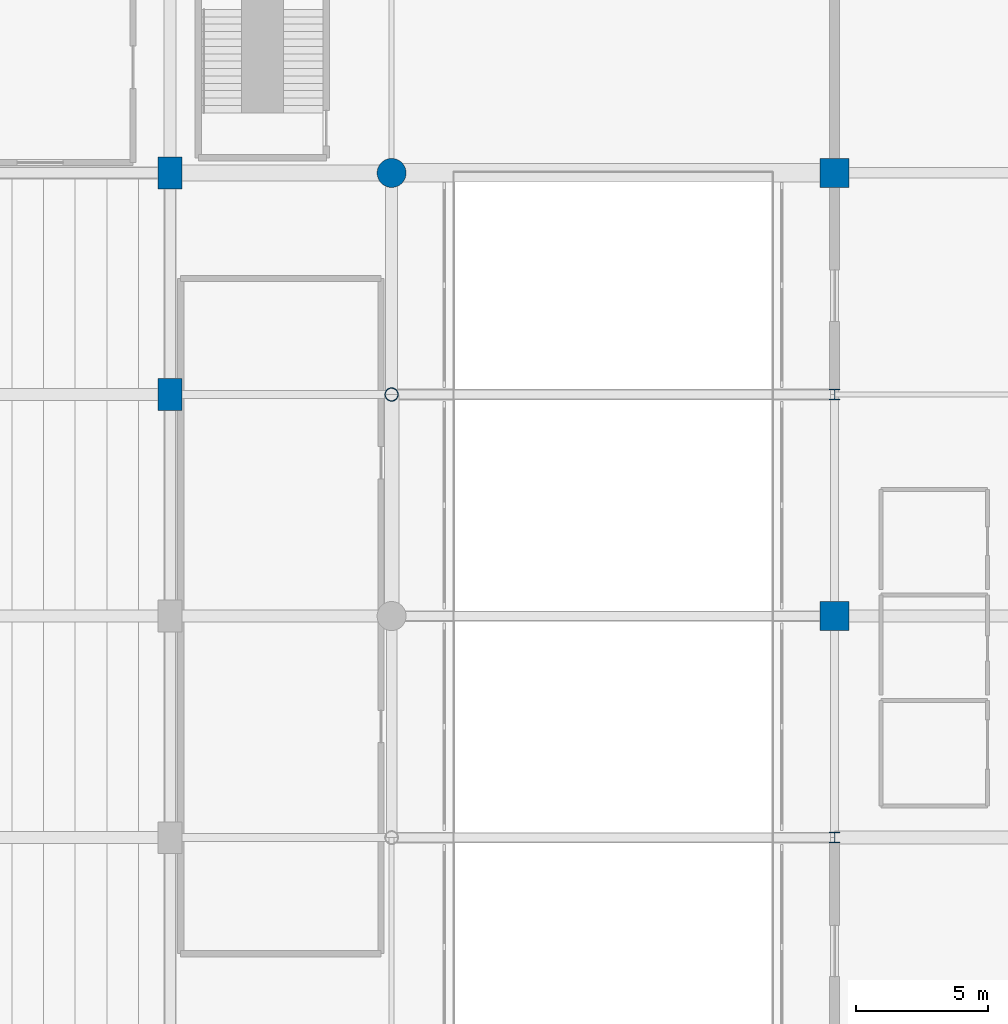
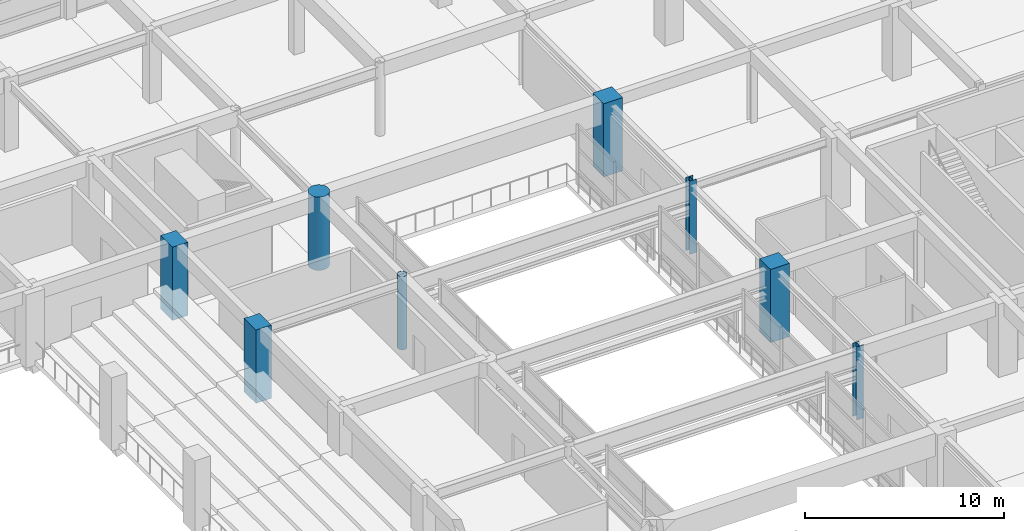
# One storey, part 4 of 62: 8 columns.
"""IFC4 building model written with IfcOpenShell, lengths in metres."""

import ifcopenshell
import ifcopenshell.guid

model = None  # the IFC model being written
_history = None  # IfcOwnerHistory: only IFC2X3 demands one
_inside = {}  # id of a spatial element -> (the spatial element, [elements in it])
_under = {}  # id of a project, library or spatial element -> (it, [spatial elements below it])
_declared = {}  # id of a project -> (the project, [libraries it declares])
_typed = {}  # id of a type object -> (the type object, [elements of that type])
_made_of = {}  # id of a material, layer set ... -> (it, [elements and type objects made of it])


def new_model(schema):
    """Start an empty IFC model of exactly this schema.

    Asked for "IFC4X3", IfcOpenShell would pick the latest addendum, in which some entities
    have other attributes; the version numbers below select the first issue.
    IFC2X3 requires an IfcOwnerHistory on every rooted entity: one is made here for all.
    """
    global model, _history
    if schema == "IFC4X3":
        model = ifcopenshell.file(schema_version=(4, 3, 0, 0))
    else:
        model = ifcopenshell.file(schema=schema)
    _inside.clear()
    _under.clear()
    _declared.clear()
    _typed.clear()
    _made_of.clear()
    _history = None
    if model.schema == "IFC2X3":
        org = make("IfcOrganization", Name="unknown")
        user = make(
            "IfcPersonAndOrganization",
            ThePerson=make("IfcPerson", FamilyName="unknown"),
            TheOrganization=org,
        )
        app = make(
            "IfcApplication",
            ApplicationDeveloper=org,
            Version="unknown",
            ApplicationFullName="unknown",
            ApplicationIdentifier="unknown",
        )
        _history = make(
            "IfcOwnerHistory",
            OwningUser=user,
            OwningApplication=app,
            ChangeAction="ADDED",
            CreationDate=0,
        )
    return model


def make(cls, **values):
    """One entity of the class cls with the attributes given. An attribute that is None is left unset."""
    return model.create_entity(
        cls, **{name: value for name, value in values.items() if value is not None}
    )


def rooted(cls, **values):
    """An entity with a GlobalId (a new one), such as an element, a storey or a relation."""
    return make(cls, GlobalId=ifcopenshell.guid.new(), OwnerHistory=_history, **values)


def si_unit(unit_type, name, prefix=None):
    """IfcSIUnit, for example si_unit("LENGTHUNIT", "METRE", prefix="MILLI")."""
    return make("IfcSIUnit", UnitType=unit_type, Prefix=prefix, Name=name)


def assignment(units):
    """IfcUnitAssignment: the units of a project."""
    return None if units is None else make("IfcUnitAssignment", Units=units)


def point(xyz):
    """IfcCartesianPoint."""
    return None if xyz is None else make("IfcCartesianPoint", Coordinates=xyz)


def direction(xyz):
    """IfcDirection."""
    return None if xyz is None else make("IfcDirection", DirectionRatios=xyz)


def frame(location, z_axis=None, x_axis=None):
    """IfcAxis2Placement3D, a coordinate frame: its origin and axes. An axis left out is left unset."""
    return make(
        "IfcAxis2Placement3D",
        Location=point(location),
        Axis=direction(z_axis),
        RefDirection=direction(x_axis),
    )


def frame_2d(location, x_axis=None):
    """IfcAxis2Placement2D, a coordinate frame in the plane: its origin and x axis."""
    return make(
        "IfcAxis2Placement2D", Location=point(location), RefDirection=direction(x_axis)
    )


def origin():
    """The frame at (0, 0, 0) with its axes left unset."""
    return frame((0.0, 0.0, 0.0))


def origin_2d():
    """The frame at (0, 0) in the plane with its x axis left unset."""
    return frame_2d((0.0, 0.0))


def place(relative_to, where):
    """IfcLocalPlacement: puts the frame where relative to a parent placement (None: the world)."""
    return make(
        "IfcLocalPlacement", PlacementRelTo=relative_to, RelativePlacement=where
    )


def context(
    kind, dimensions, precision=None, world=None, true_north=None, identifier=None
):
    """IfcGeometricRepresentationContext, for example the 3D "Model" context."""
    return make(
        "IfcGeometricRepresentationContext",
        ContextIdentifier=identifier,
        ContextType=kind,
        CoordinateSpaceDimension=dimensions,
        Precision=precision,
        WorldCoordinateSystem=world,
        TrueNorth=true_north,
    )


def subcontext(parent, identifier, kind, view, scale=None):
    """IfcGeometricRepresentationSubContext, for example "Body" below "Model"."""
    return make(
        "IfcGeometricRepresentationSubContext",
        ContextIdentifier=identifier,
        ContextType=kind,
        ParentContext=parent,
        TargetScale=scale,
        TargetView=view,
    )


def project(units=None, contexts=None):
    """IfcProject with its units and contexts."""
    return rooted(
        "IfcProject",
        Name="project",
        RepresentationContexts=contexts,
        UnitsInContext=assignment(units),
    )


def spatial(cls, under=None, at=None, **own):
    """A site, building, storey or space (cls), placed at a placement, below another one or the project."""
    s = rooted(cls, ObjectPlacement=at, **own)
    if under is not None:
        _under.setdefault(under.id(), (under, []))[1].append(s)
    return s


def profile(cls, at=None, kind="AREA", **sizes):
    """A parametric profile (cls). Its sizes go by their IFC names, for example OverallWidth=200.0."""
    return make(cls, ProfileType=kind, Position=at, **sizes)


def rectangle(**sizes):
    """IfcRectangleProfileDef."""
    return profile("IfcRectangleProfileDef", **sizes)


def circle(**sizes):
    """IfcCircleProfileDef."""
    return profile("IfcCircleProfileDef", **sizes)


def hollow_circle(**sizes):
    """IfcCircleHollowProfileDef."""
    return profile("IfcCircleHollowProfileDef", **sizes)


def i_section(**sizes):
    """IfcIShapeProfileDef."""
    return profile("IfcIShapeProfileDef", **sizes)


def extrude(swept, where, along, depth):
    """IfcExtrudedAreaSolid: the profile swept, set in the frame where, extruded along a direction by depth."""
    return make(
        "IfcExtrudedAreaSolid",
        SweptArea=swept,
        Position=where,
        ExtrudedDirection=direction(along),
        Depth=depth,
    )


def shape(context_of_items, identifier, shape_type, items):
    """IfcShapeRepresentation: the items that make up one representation, for example the "Body"."""
    return make(
        "IfcShapeRepresentation",
        ContextOfItems=context_of_items,
        RepresentationIdentifier=identifier,
        RepresentationType=shape_type,
        Items=items,
    )


def material(Name=None, Category=None):
    """IfcMaterial."""
    return make("IfcMaterial", Name=Name, Category=Category)


def material_profile(
    of_material, cross_section, Name=None, Category=None, Priority=None
):
    """IfcMaterialProfile: a cross section and its material."""
    return make(
        "IfcMaterialProfile",
        Name=Name,
        Material=of_material,
        Profile=cross_section,
        Priority=Priority,
        Category=Category,
    )


def profile_set(profiles, Name=None, composite=None):
    """IfcMaterialProfileSet."""
    return make(
        "IfcMaterialProfileSet",
        Name=Name,
        MaterialProfiles=profiles,
        CompositeProfile=composite,
    )


def made_of(thing, what):
    """Note that an element or type object is made of a material, layer set ...; save() writes the relation."""
    if what is not None:
        _made_of.setdefault(what.id(), (what, []))[1].append(thing)
    return thing


def type_object(cls, material=None, **own):
    """A type object (cls), such as IfcWallType, which elements share."""
    return made_of(rooted(cls, **own), material)


def element(
    cls,
    number,
    at=None,
    inside=None,
    cuts=None,
    type_object=None,
    material=None,
    context=None,
    identifier="Body",
    shape_type=None,
    held_by="IfcProductDefinitionShape",
    body=None,
    shapes=None,
    **own,
):
    """One element of the class cls, such as IfcWall. Its Tag is "e" and its number.

    at: its placement. inside: the storey or other place that contains it. cuts: it is an
    opening in that element (IfcRelVoidsElement). A single representation is given by context,
    identifier, shape_type and body (its items); several are given by shapes. held_by: the class
    of the entity that holds the representations. save() writes the other relations.
    """
    e = rooted(cls, Tag="e%d" % number, ObjectPlacement=at, **own)
    if body is not None:
        shapes = [shape(context, identifier, shape_type, body)]
    if shapes is not None:
        e.Representation = make(held_by, Representations=shapes)
    if inside is not None:
        _inside.setdefault(inside.id(), (inside, []))[1].append(e)
    if cuts is not None:
        rooted(
            "IfcRelVoidsElement", RelatingBuildingElement=cuts, RelatedOpeningElement=e
        )
    if type_object is not None:
        _typed.setdefault(type_object.id(), (type_object, []))[1].append(e)
    return made_of(e, material)


def aggregate(whole, parts):
    """IfcRelAggregates: a whole, such as a stair, and the parts it consists of."""
    return rooted("IfcRelAggregates", RelatingObject=whole, RelatedObjects=parts)


def save(model, path):
    """Write the relations noted so far, then the file.

    IfcRelAggregates (storeys below a building ...), IfcRelContainedInSpatialStructure (elements
    in a storey), IfcRelDefinesByType, IfcRelAssociatesMaterial and IfcRelDeclares: one each for
    every whole, place, type object, material and project.
    """
    for whole, parts in _under.values():
        aggregate(whole, parts)
    for where, things in _inside.values():
        rooted(
            "IfcRelContainedInSpatialStructure",
            RelatedElements=things,
            RelatingStructure=where,
        )
    for kind, things in _typed.values():
        rooted("IfcRelDefinesByType", RelatedObjects=things, RelatingType=kind)
    for what, things in _made_of.values():
        rooted("IfcRelAssociatesMaterial", RelatedObjects=things, RelatingMaterial=what)
    for by, libraries in _declared.values():
        rooted("IfcRelDeclares", RelatingContext=by, RelatedDefinitions=libraries)
    model.write(path)


model = new_model("IFC4")

# Units and contexts
model_context = context("Model", 3, precision=1e-05, world=origin(), true_north=direction((0.0, 1.0)))
body_context = subcontext(model_context, "Body", "Model", "MODEL_VIEW")
ifc_project = project(units=[si_unit("LENGTHUNIT", "METRE"), si_unit("AREAUNIT", "SQUARE_METRE"), si_unit("VOLUMEUNIT", "CUBIC_METRE"), si_unit("PLANEANGLEUNIT", "RADIAN"), si_unit("MASSUNIT", "GRAM", prefix="KILO")], contexts=[model_context])

# Site, building, storey
site_placement = place(None, origin())
site = spatial("IfcSite", under=ifc_project, at=site_placement, CompositionType="ELEMENT")
building_placement = place(site_placement, origin())
building = spatial("IfcBuilding", under=site, at=building_placement, Name="Xuanlan Plaza Opera House", CompositionType="ELEMENT")
storey_placement = place(building_placement, frame((0.0, 0.0, 14.39990234375)))
storey = spatial("IfcBuildingStorey", under=building, at=storey_placement, Name="L03", CompositionType="ELEMENT", Elevation=14.39990234375)

# Columns
ifc_material_1 = material(Name="Concrete C50", Category="concrete")
ifc_material_profile_1 = material_profile(ifc_material_1, rectangle(XDim=1.10009765625, YDim=1.10009765625, at=origin_2d()), Name="RC-COL 1100x1100")
ifc_profile_set_1 = profile_set([ifc_material_profile_1], Name="Concrete C50")
column_type_1 = type_object("IfcColumnType", Name="STR-COL-C-03", PredefinedType="COLUMN", material=ifc_profile_set_1)
for number, where, z_axis, x_axis, name in (
    (1, (126.0, 58.800048828125, 0.0), (0.0, 0.0, 1.0), (1.0, 0.0, 0.0), "Column L03 16-H"),
    (2, (126.0, 75.60009765625, 0.0), (0.0, 0.0, 1.0), (1.0, 0.0, 0.0), "Column L03 16-J"),
):
    element("IfcColumn", number, at=place(storey_placement, frame(where, z_axis=z_axis, x_axis=x_axis)), inside=storey, type_object=column_type_1, Name=name, PredefinedType="COLUMN", context=body_context, shape_type="SweptSolid", body=[
        extrude(rectangle(XDim=1.10009765625, YDim=1.10009765625, at=origin_2d()), origin(), (0.0, 0.0, 1.0), 4.5),
    ])
ifc_material_profile_2 = material_profile(ifc_material_1, rectangle(XDim=0.89990234375, YDim=1.199951171875, at=origin_2d()), Name="RC-COL 900x1200")
ifc_profile_set_2 = profile_set([ifc_material_profile_2], Name="Concrete C50")
column_type_2 = type_object("IfcColumnType", Name="STR-COL-C-10", PredefinedType="COLUMN", material=ifc_profile_set_2)
for number, where, z_axis, x_axis, name in (
    (3, (100.800048828125, 67.199951171875, 0.0), (0.0, 0.0, 1.0), (1.0, 0.0, 0.0), "Column L03 13-I"),
    (4, (100.800048828125, 75.60009765625, 0.0), (0.0, 0.0, 1.0), (1.0, 0.0, 0.0), "Column L03 13-J"),
):
    element("IfcColumn", number, at=place(storey_placement, frame(where, z_axis=z_axis, x_axis=x_axis)), inside=storey, type_object=column_type_2, Name=name, PredefinedType="COLUMN", context=body_context, shape_type="SweptSolid", body=[
        extrude(rectangle(XDim=0.89990234375, YDim=1.199951171875, at=origin_2d()), origin(), (0.0, 0.0, 1.0), 4.5),
    ])
ifc_material_profile_3 = material_profile(ifc_material_1, circle(Radius=0.550048828125, at=origin_2d()), Name="RC-COL D1100")
ifc_profile_set_3 = profile_set([ifc_material_profile_3], Name="Concrete C50")
column_type_3 = type_object("IfcColumnType", Name="STR-COL-C-11", PredefinedType="COLUMN", material=ifc_profile_set_3)
column_1_placement = place(storey_placement, frame((109.199951171875, 75.60009765625, 0.0), z_axis=(0.0, 0.0, 1.0), x_axis=(1.0, 0.0, 0.0)))
element("IfcColumn", 5, at=column_1_placement, inside=storey, type_object=column_type_3, Name="Column L03 14-J", PredefinedType="COLUMN", context=body_context, shape_type="SweptSolid", body=[
    extrude(circle(Radius=0.550048828125, at=origin_2d()), origin(), (0.0, 0.0, 1.0), 4.5),
])
ifc_material_2 = material(Name="Steel Q355B", Category="steel")
ifc_material_profile_4 = material_profile(ifc_material_2, i_section(OverallWidth=0.39990234375, OverallDepth=0.39990234375, WebThickness=0.012939453125, FlangeThickness=0.02099609375, FilletRadius=0.02197265625, at=origin_2d()), Name="HW 400x400x13x21")
ifc_profile_set_4 = profile_set([ifc_material_profile_4], Name="Steel Q355B")
column_type_4 = type_object("IfcColumnType", Name="STR-COL-C-14", PredefinedType="COLUMN", material=ifc_profile_set_4)
for number, where, z_axis, x_axis, name in (
    (6, (126.0, 50.39990234375, 0.0), (0.0, 0.0, 1.0), (1.0, 0.0, 0.0), "Column L03 16-G"),
    (7, (126.0, 67.199951171875, 0.0), (0.0, 0.0, 1.0), (1.0, 0.0, 0.0), "Column L03 16-I"),
):
    element("IfcColumn", number, at=place(storey_placement, frame(where, z_axis=z_axis, x_axis=x_axis)), inside=storey, type_object=column_type_4, Name=name, PredefinedType="COLUMN", context=body_context, shape_type="SweptSolid", body=[
        extrude(i_section(OverallWidth=0.39990234375, OverallDepth=0.39990234375, WebThickness=0.012939453125, FlangeThickness=0.02099609375, FilletRadius=0.02197265625, at=origin_2d()), origin(), (0.0, 0.0, 1.0), 4.5),
    ])
ifc_material_profile_5 = material_profile(ifc_material_2, hollow_circle(Radius=0.25390625, WallThickness=0.02001953125, at=origin_2d()), Name="CHS 508x20")
ifc_profile_set_5 = profile_set([ifc_material_profile_5], Name="Steel Q355B")
column_type_5 = type_object("IfcColumnType", Name="STR-COL-C-16", PredefinedType="COLUMN", material=ifc_profile_set_5)
column_2_placement = place(storey_placement, frame((109.199951171875, 67.199951171875, 0.0), z_axis=(0.0, 0.0, 1.0), x_axis=(1.0, 0.0, 0.0)))
element("IfcColumn", 8, at=column_2_placement, inside=storey, type_object=column_type_5, Name="Column L03 14-I", PredefinedType="COLUMN", context=body_context, shape_type="SweptSolid", body=[
    extrude(hollow_circle(Radius=0.25390625, WallThickness=0.02001953125, at=origin_2d()), origin(), (0.0, 0.0, 1.0), 4.5),
])

save(model, "model.ifc")
